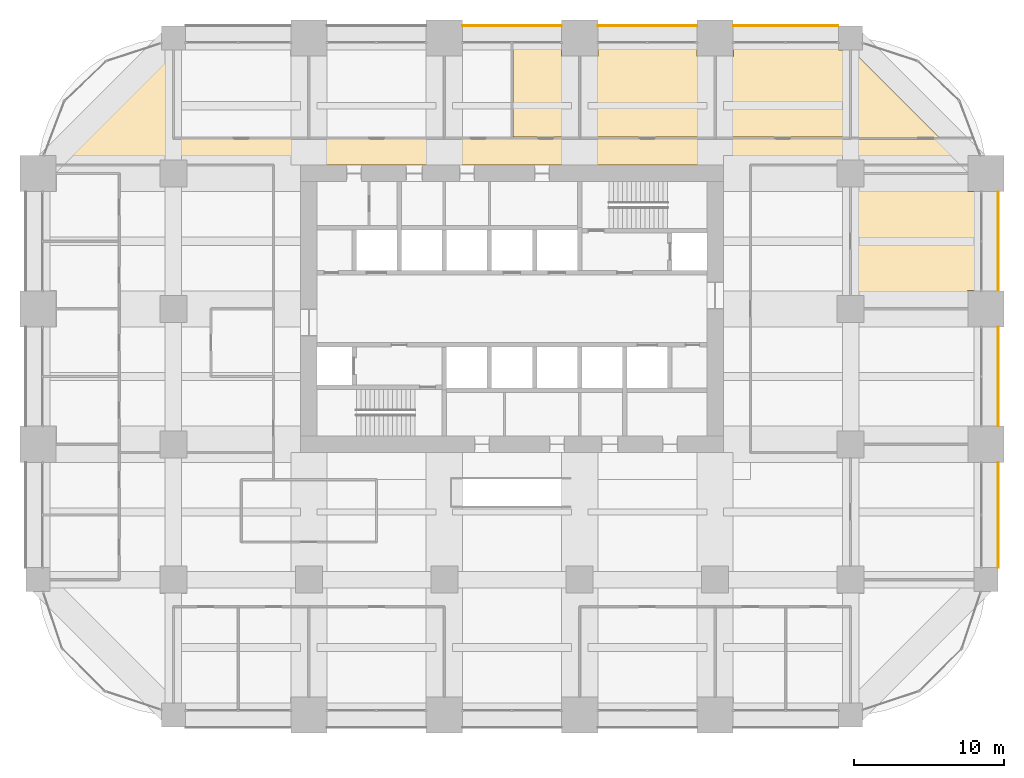
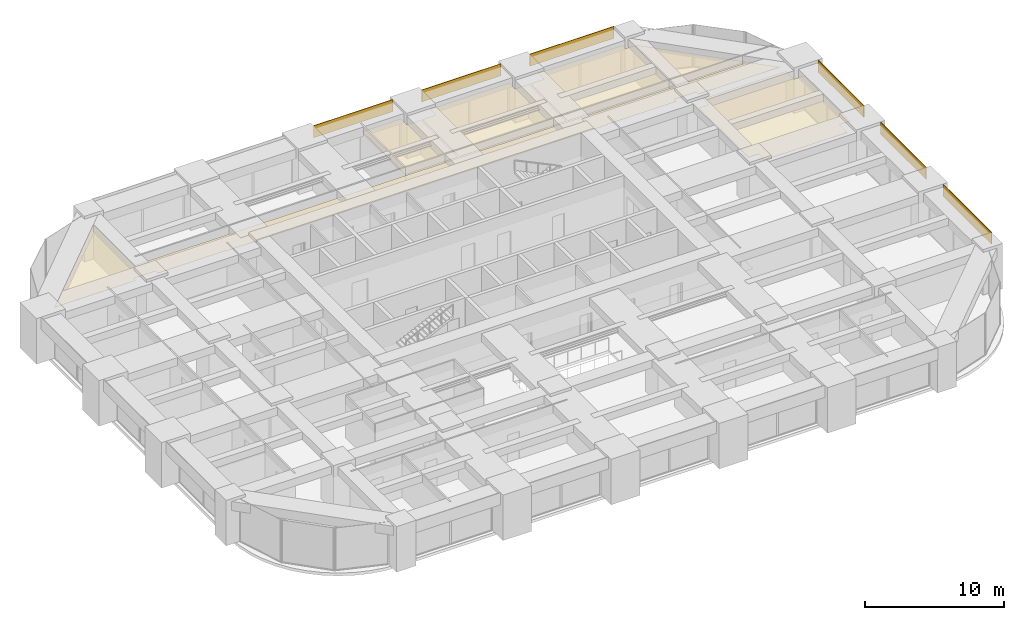
# One storey, part 43 of 43: 12 coverings.
"""IFC4 building model written with IfcOpenShell, lengths in metres."""

from ifc_helpers import new_model, si_unit, direction, frame, frame_2d, origin, place, context, subcontext, project, spatial, polyline, rectangle, outline, extrude, material, layer, layer_set, type_object, element, save


model = new_model("IFC4")

# Units and contexts
model_context = context("Model", 3, precision=1e-05, world=origin(), true_north=direction((0.0, 1.0)))
body_context = subcontext(model_context, "Body", "Model", "MODEL_VIEW")
ifc_project = project(units=[si_unit("LENGTHUNIT", "METRE"), si_unit("AREAUNIT", "SQUARE_METRE"), si_unit("VOLUMEUNIT", "CUBIC_METRE"), si_unit("PLANEANGLEUNIT", "RADIAN"), si_unit("MASSUNIT", "GRAM", prefix="KILO")], contexts=[model_context])

# Site, building, storey
site_placement = place(None, origin())
site = spatial("IfcSite", under=ifc_project, at=site_placement, CompositionType="ELEMENT")
building_placement = place(site_placement, origin())
building = spatial("IfcBuilding", under=site, at=building_placement, Name="Zorevar Civic Tower", CompositionType="ELEMENT")
storey_placement = place(building_placement, frame((0.0, 0.0, 141.0)))
storey = spatial("IfcBuildingStorey", under=building, at=storey_placement, Name="L34", CompositionType="ELEMENT", Elevation=141.0)

# Coverings
ifc_material_1 = material(Name="Black anodised aluminium spandrel panel", Category="aluminium")
ifc_layer_1 = layer(ifc_material_1, 0.050048828125)
ifc_layer_set_1 = layer_set([ifc_layer_1], Name="Spandrel cladding SP1")
covering_type_1 = type_object("IfcCoveringType", Name="Spandrel cladding SP1", PredefinedType="CLADDING", material=ifc_layer_set_1)
for number, where, z_axis, x_axis, name in (
    (1, (28.199951171875, 45.824951171875, 2.949951171875), (0.0, 0.0, 1.0), (1.0, 0.0, 0.0), "Spandrel cladding L35"),
    (2, (37.199951171875, 45.824951171875, 2.949951171875), (0.0, 0.0, 1.0), (1.0, 0.0, 0.0), "Spandrel cladding L35"),
):
    element("IfcCovering", number, at=place(storey_placement, frame(where, z_axis=z_axis, x_axis=x_axis)), inside=storey, type_object=covering_type_1, Name=name, PredefinedType="CLADDING", context=body_context, shape_type="SweptSolid", body=[
        extrude(rectangle(XDim=6.60009765625, YDim=0.050048828125, at=frame_2d((3.300048828125, 0.0))), origin(), (0.0, 0.0, 1.0), 1.050048828125),
    ])
for number, where, z_axis, x_axis, name in (
    (3, (46.199951171875, 45.824951171875, 2.949951171875), (0.0, 0.0, 1.0), (1.0, 0.0, 0.0), "Spandrel cladding L35"),
    (4, (63.824951171875, 9.800048828125, 2.949951171875), (0.0, 0.0, 1.0), (0.0, 1.0, 0.0), "Spandrel cladding L35"),
):
    element("IfcCovering", number, at=place(storey_placement, frame(where, z_axis=z_axis, x_axis=x_axis)), inside=storey, type_object=covering_type_1, Name=name, PredefinedType="CLADDING", context=body_context, shape_type="SweptSolid", body=[
        extrude(rectangle(XDim=7.0, YDim=0.050048828125, at=frame_2d((3.5, 0.0))), origin(), (0.0, 0.0, 1.0), 1.050048828125),
    ])
for number, where, z_axis, x_axis, name in (
    (5, (63.824951171875, 19.199951171875, 2.949951171875), (0.0, 0.0, 1.0), (0.0, 1.0, 0.0), "Spandrel cladding L35"),
    (6, (63.824951171875, 28.199951171875, 2.949951171875), (0.0, 0.0, 1.0), (0.0, 1.0, 0.0), "Spandrel cladding L35"),
):
    element("IfcCovering", number, at=place(storey_placement, frame(where, z_axis=z_axis, x_axis=x_axis)), inside=storey, type_object=covering_type_1, Name=name, PredefinedType="CLADDING", context=body_context, shape_type="SweptSolid", body=[
        extrude(rectangle(XDim=6.60009765625, YDim=0.050048828125, at=frame_2d((3.300048828125, 0.0))), origin(), (0.0, 0.0, 1.0), 1.050048828125),
    ])
ifc_material_2 = material(Name="Mineral fibre tiles on a concealed grid")
ifc_layer_2 = layer(ifc_material_2, 0.02001953125)
ifc_layer_set_2 = layer_set([ifc_layer_2], Name="Suspended ceiling SC1")
covering_type_2 = type_object("IfcCoveringType", Name="Suspended ceiling SC1", PredefinedType="CEILING", material=ifc_layer_set_2)
covering_1_placement = place(storey_placement, frame((0.0, 0.0, 3.0)))
element("IfcCovering", 7, at=covering_1_placement, inside=storey, type_object=covering_type_2, Name="Ceiling L34-20", PredefinedType="CEILING", context=body_context, shape_type="SweptSolid", body=[
    extrude(outline(polyline([(31.56005859375, 38.409912109375), (31.56005859375, 44.64990234375), (34.7900390625, 44.64990234375), (34.7900390625, 43.7900390625), (35.93994140625, 43.7900390625), (35.93994140625, 38.409912109375), (31.56005859375, 38.409912109375)])), origin(), (0.0, 0.0, 1.0), 0.02001953125),
])
covering_2_placement = place(storey_placement, frame((0.0, 0.0, 3.0)))
element("IfcCovering", 8, at=covering_2_placement, inside=storey, type_object=covering_type_2, Name="Ceiling L34-21", PredefinedType="CEILING", context=body_context, shape_type="SweptSolid", body=[
    extrude(outline(polyline([(37.2099609375, 43.7900390625), (37.2099609375, 44.64990234375), (43.7900390625, 44.64990234375), (43.7900390625, 43.7900390625), (44.93994140625, 43.7900390625), (44.93994140625, 38.409912109375), (36.06005859375, 38.409912109375), (36.06005859375, 43.7900390625), (37.2099609375, 43.7900390625)])), origin(), (0.0, 0.0, 1.0), 0.02001953125),
])
covering_3_placement = place(storey_placement, frame((0.0, 0.0, 3.0)))
element("IfcCovering", 9, at=covering_3_placement, inside=storey, type_object=covering_type_2, Name="Ceiling L34-22", PredefinedType="CEILING", context=body_context, shape_type="SweptSolid", body=[
    extrude(outline(polyline([(46.2099609375, 43.7900390625), (46.2099609375, 44.64990234375), (53.18994140625, 44.64990234375), (53.18994140625, 44.18994140625), (53.93994140625, 44.18994140625), (53.93994140625, 38.409912109375), (45.06005859375, 38.409912109375), (45.06005859375, 43.7900390625), (46.2099609375, 43.7900390625)])), origin(), (0.0, 0.0, 1.0), 0.02001953125),
])
covering_4_placement = place(storey_placement, frame((0.0, 0.0, 3.0)))
element("IfcCovering", 10, at=covering_4_placement, inside=storey, type_object=covering_type_2, Name="Ceiling L34-36", PredefinedType="CEILING", context=body_context, shape_type="SweptSolid", body=[
    extrude(outline(polyline([(62.64990234375, 28.2099609375), (61.7900390625, 28.2099609375), (61.7900390625, 27.06005859375), (54.909912109375, 27.06005859375), (54.909912109375, 27.909912109375), (54.06005859375, 27.909912109375), (54.06005859375, 35.090087890625), (54.909912109375, 35.090087890625), (54.909912109375, 35.93994140625), (61.7900390625, 35.93994140625), (61.7900390625, 34.7900390625), (62.64990234375, 34.7900390625), (62.64990234375, 28.2099609375)])), origin(), (0.0, 0.0, 1.0), 0.02001953125),
])
covering_5_placement = place(storey_placement, frame((0.0, 0.0, 3.0)))
element("IfcCovering", 11, at=covering_5_placement, inside=storey, type_object=covering_type_2, Name="Ceiling L34-39", PredefinedType="CEILING", context=body_context, shape_type="SweptSolid", body=[
    extrude(outline(polyline([(54.06005859375, 38.39990234375), (54.06005859375, 44.18994140625), (54.102783203125, 44.18994140625), (59.892822265625, 38.39990234375), (54.06005859375, 38.39990234375)])), origin(), (0.0, 0.0, 1.0), 0.02001953125),
])
covering_6_placement = place(storey_placement, frame((0.0, 0.0, 3.0)))
element("IfcCovering", 12, at=covering_6_placement, inside=storey, type_object=covering_type_2, Name="Ceiling L34-42", PredefinedType="CEILING", context=body_context, shape_type="SweptSolid", body=[
    extrude(outline(polyline([(8.93994140625, 44.18994140625), (8.93994140625, 38.35009765625), (9.0, 38.35009765625), (9.0, 38.2900390625), (54.0, 38.2900390625), (54.0, 38.300048828125), (59.992919921875, 38.300048828125), (61.69287109375, 36.60009765625), (54.909912109375, 36.60009765625), (54.909912109375, 36.909912109375), (53.090087890625, 36.909912109375), (53.090087890625, 36.60009765625), (47.35009765625, 36.60009765625), (47.35009765625, 36.550048828125), (15.64990234375, 36.550048828125), (15.64990234375, 36.60009765625), (9.909912109375, 36.60009765625), (9.909912109375, 36.909912109375), (8.090087890625, 36.909912109375), (8.090087890625, 36.60009765625), (1.30712890625, 36.60009765625), (8.897216796875, 44.18994140625), (8.93994140625, 44.18994140625)])), origin(), (0.0, 0.0, 1.0), 0.02001953125),
])

save(model, "model.ifc")
